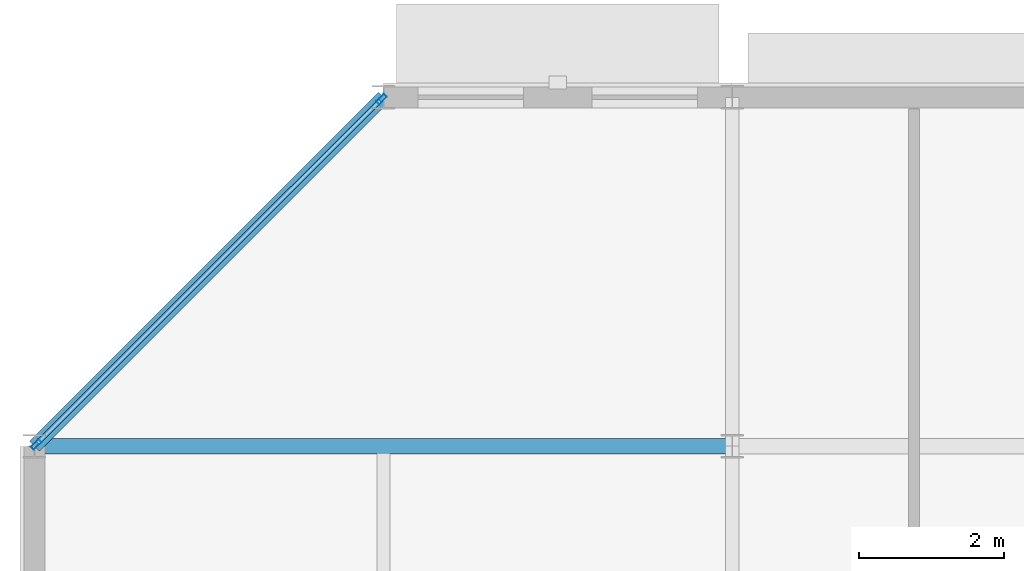
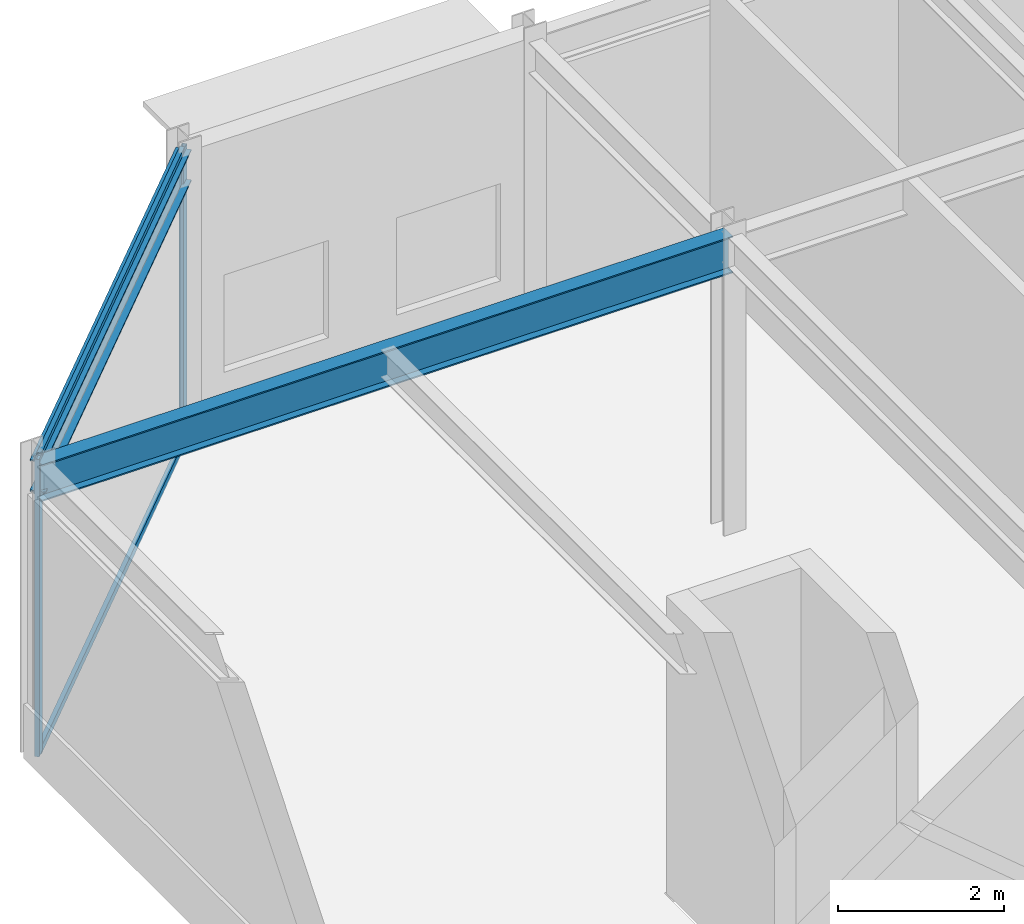
# One storey, part 34 of 89: 4 members, 2 beams, 1 element without a shape of its own.
"""IFC4 building model written with IfcOpenShell, lengths in metres."""

from ifc_helpers import new_model, si_unit, direction, frame, origin, origin_2d, place, context, subcontext, project, spatial, hollow_rectangle, i_section, extrude, material, material_profile, profile_set, type_object, element, aggregate, save


model = new_model("IFC4")

# Units and contexts
model_context = context("Model", 3, precision=1e-05, world=origin(), true_north=direction((0.0, 1.0)))
body_context = subcontext(model_context, "Body", "Model", "MODEL_VIEW")
ifc_project = project(units=[si_unit("LENGTHUNIT", "METRE"), si_unit("AREAUNIT", "SQUARE_METRE"), si_unit("VOLUMEUNIT", "CUBIC_METRE"), si_unit("PLANEANGLEUNIT", "RADIAN"), si_unit("MASSUNIT", "GRAM", prefix="KILO")], contexts=[model_context])

# Site, building, storey
site_placement = place(None, origin())
site = spatial("IfcSite", under=ifc_project, at=site_placement, CompositionType="ELEMENT")
building_placement = place(site_placement, origin())
building = spatial("IfcBuilding", under=site, at=building_placement, Name="Almandine Court Research Institute", CompositionType="ELEMENT")
storey_placement = place(building_placement, frame((0.0, 0.0, 18.89990234375)))
storey = spatial("IfcBuildingStorey", under=building, at=storey_placement, Name="L04", CompositionType="ELEMENT", Elevation=18.89990234375)

# Beams
ifc_material_1 = material(Name="Steel ASTM A992 Grade 50", Category="steel")
ifc_material_profile_1 = material_profile(ifc_material_1, i_section(OverallWidth=0.2109375, OverallDepth=0.5390625, WebThickness=0.011962890625, FlangeThickness=0.01904296875, at=origin_2d()), Name="W530x109")
ifc_profile_set_1 = profile_set([ifc_material_profile_1], Name="Steel ASTM A992 Grade 50")
beam_type_1 = type_object("IfcBeamType", Name="Beam-G-04", PredefinedType="BEAM", material=ifc_profile_set_1)
beam_1_placement = place(storey_placement, frame((6.0, 112.800048828125, 4.05419921875), z_axis=(1.0, 0.0, 0.0), x_axis=(0.0, 1.0, 0.0)))
element("IfcBeam", 1, at=beam_1_placement, inside=storey, type_object=beam_type_1, Name="L04 V3 Primary X Girder", PredefinedType="BEAM", context=body_context, shape_type="SweptSolid", body=[
    extrude(i_section(OverallWidth=0.2109375, OverallDepth=0.5390625, WebThickness=0.011962890625, FlangeThickness=0.01904296875, at=origin_2d()), origin(), (0.0, 0.0, 1.0), 9.60009765625),
])
ifc_material_profile_2 = material_profile(ifc_material_1, i_section(OverallWidth=0.193115234375, OverallDepth=0.466064453125, WebThickness=0.010986328125, FlangeThickness=0.01904296875, at=origin_2d()), Name="W460x97")
ifc_profile_set_2 = profile_set([ifc_material_profile_2], Name="Steel ASTM A992 Grade 50")
beam_type_2 = type_object("IfcBeamType", Name="Beam-G-06-E", PredefinedType="SPANDREL", material=ifc_profile_set_2)
beam_2_placement = place(storey_placement, frame((10.800048828125, 117.60009765625, 4.090087890625), z_axis=(-0.707106781187, -0.707106781187, 0.0), x_axis=(0.707106781187, -0.707106781187, 0.0)))
element("IfcBeam", 2, at=beam_2_placement, inside=storey, type_object=beam_type_2, Name="L04 V3 Octagonal Chamfer Spandrel", PredefinedType="SPANDREL", context=body_context, shape_type="SweptSolid", body=[
    extrude(i_section(OverallWidth=0.193115234375, OverallDepth=0.466064453125, WebThickness=0.010986328125, FlangeThickness=0.01904296875, at=origin_2d()), origin(), (0.0, 0.0, 1.0), 6.788330078125),
])

# Curtain wall, members
ifc_material_2 = material(Name="Unitised Curtain Wall Framing and Solar Glazing", Category="glass")
curtain_wall_type = type_object("IfcCurtainWallType", Name="CW-CWG-08", PredefinedType="USERDEFINED", material=ifc_material_2)
curtain_wall_placement = place(storey_placement, origin())
curtain_wall = element("IfcCurtainWall", 3, at=curtain_wall_placement, inside=storey, type_object=curtain_wall_type, Name="L04 Cleanroom NW Chamfer Glazing", ObjectType="UNITISED GLAZING", PredefinedType="USERDEFINED")
ifc_material_3 = material(Name="Anodised Aluminium AW-6063-T6", Category="aluminium")
ifc_material_profile_3 = material_profile(ifc_material_3, hollow_rectangle(XDim=0.06005859375, YDim=0.14990234375, WallThickness=0.00390625, at=origin_2d()), Name="ALU RHS 60x150x4")
ifc_profile_set_3 = profile_set([ifc_material_profile_3], Name="Anodised Aluminium AW-6063-T6")
member_type_1 = type_object("IfcMemberType", Name="CWMul-60x150", PredefinedType="MULLION", material=ifc_profile_set_3)
member_1_placement = place(storey_placement, frame((6.025146484375, 112.8251953125, 0.0), z_axis=(0.0, 0.0, 1.0), x_axis=(-0.707106781187, 0.707106781187, 0.0)))
member_1 = element("IfcMember", 4, at=member_1_placement, type_object=member_type_1, Name="CWG-08 mullion 1", PredefinedType="MULLION", context=body_context, shape_type="SweptSolid", body=[
    extrude(hollow_rectangle(XDim=0.06005859375, YDim=0.14990234375, WallThickness=0.00390625, at=origin_2d()), origin(), (0.0, 0.0, 1.0), 4.3701171875),
])
member_2_placement = place(storey_placement, frame((10.77490234375, 117.57470703125, 0.0), z_axis=(0.0, 0.0, 1.0), x_axis=(-0.707106781187, 0.707106781187, 0.0)))
member_2 = element("IfcMember", 5, at=member_2_placement, type_object=member_type_1, Name="CWG-08 mullion 2", PredefinedType="MULLION", context=body_context, shape_type="SweptSolid", body=[
    extrude(hollow_rectangle(XDim=0.06005859375, YDim=0.14990234375, WallThickness=0.00390625, at=origin_2d()), origin(), (0.0, 0.0, 1.0), 4.3701171875),
])
ifc_material_profile_4 = material_profile(ifc_material_3, hollow_rectangle(XDim=0.06005859375, YDim=0.110107421875, WallThickness=0.00390625, at=origin_2d()), Name="ALU RHS 60x110x4")
ifc_profile_set_4 = profile_set([ifc_material_profile_4], Name="Anodised Aluminium AW-6063-T6")
member_type_2 = type_object("IfcMemberType", Name="CWTrn-60x110", PredefinedType="NOTDEFINED", material=ifc_profile_set_4)
member_3_placement = place(storey_placement, frame((6.04638671875, 112.846435546875, 0.030029296875), z_axis=(0.707125118305, 0.707088443593, 0.0), x_axis=(-0.707088443593, 0.707125118305, 0.0)))
member_3 = element("IfcMember", 6, at=member_3_placement, type_object=member_type_2, Name="CWG-08 transom 1.1", ObjectType="TRANSOM", PredefinedType="USERDEFINED", context=body_context, shape_type="SweptSolid", body=[
    extrude(hollow_rectangle(XDim=0.06005859375, YDim=0.110107421875, WallThickness=0.00390625, at=origin_2d()), origin(), (0.0, 0.0, 1.0), 6.656982421875),
])
member_4_placement = place(storey_placement, frame((6.04638671875, 112.846435546875, 4.340087890625), z_axis=(0.707125118305, 0.707088443593, 0.0), x_axis=(-0.707088443593, 0.707125118305, 0.0)))
member_4 = element("IfcMember", 7, at=member_4_placement, type_object=member_type_2, Name="CWG-08 transom 1.2", ObjectType="TRANSOM", PredefinedType="USERDEFINED", context=body_context, shape_type="SweptSolid", body=[
    extrude(hollow_rectangle(XDim=0.06005859375, YDim=0.110107421875, WallThickness=0.00390625, at=origin_2d()), origin(), (0.0, 0.0, 1.0), 6.656982421875),
])
aggregate(curtain_wall, [member_1, member_2, member_3, member_4])

save(model, "model.ifc")
